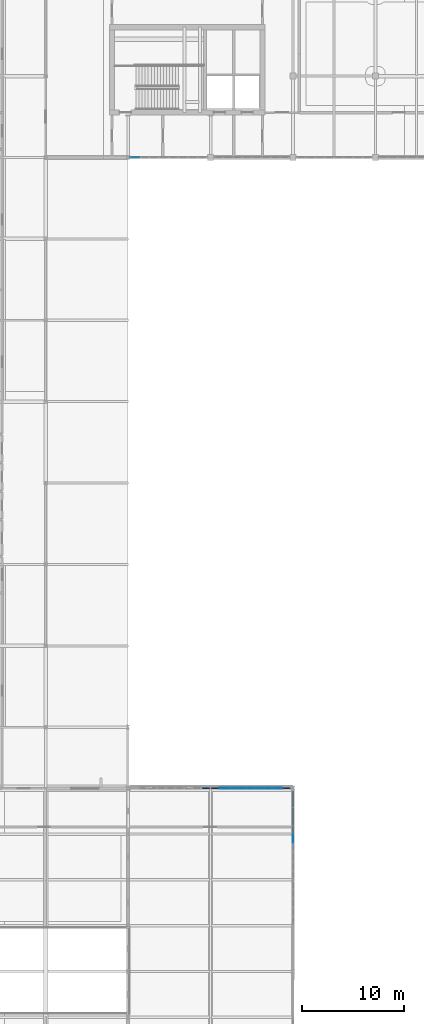
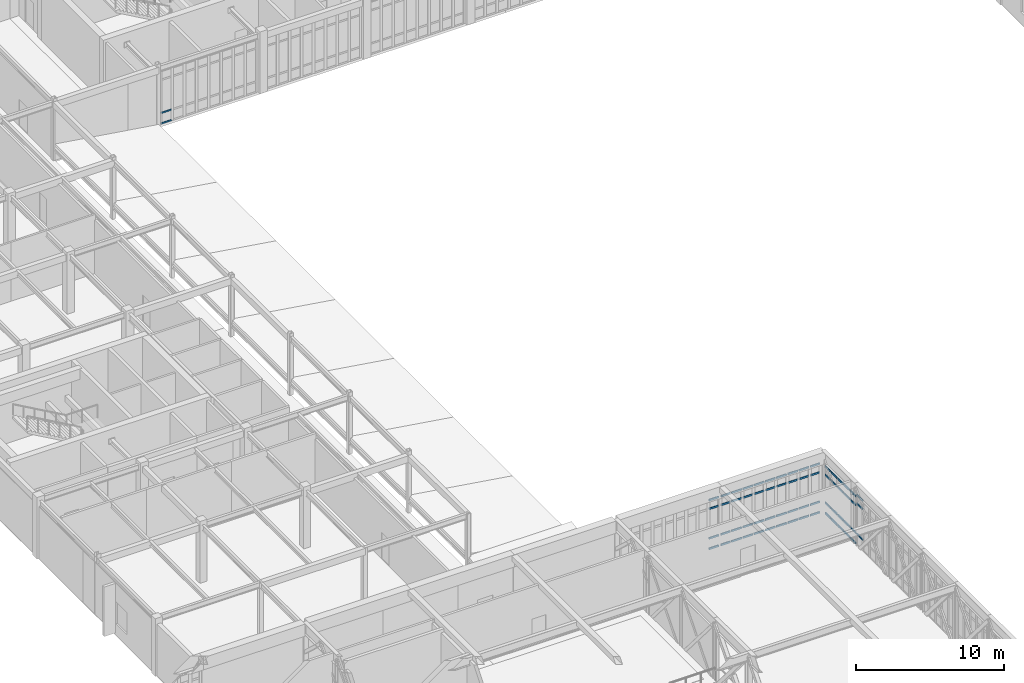
# One storey, part 35 of 70: 65 members, 5 elements without a shape of their own.
"""IFC4 building model written with IfcOpenShell, lengths in metres."""

from ifc_helpers import new_model, si_unit, direction, frame, origin, origin_2d, place, context, subcontext, project, spatial, rectangle, extrude, material, material_profile, profile_set, type_object, element, aggregate, save


model = new_model("IFC4")

# Units and contexts
model_context = context("Model", 3, precision=1e-05, world=origin(), true_north=direction((0.0, 1.0)))
body_context = subcontext(model_context, "Body", "Model", "MODEL_VIEW")
ifc_project = project(units=[si_unit("LENGTHUNIT", "METRE"), si_unit("AREAUNIT", "SQUARE_METRE"), si_unit("VOLUMEUNIT", "CUBIC_METRE"), si_unit("PLANEANGLEUNIT", "RADIAN"), si_unit("MASSUNIT", "GRAM", prefix="KILO")], contexts=[model_context])

# Site, building, storey
site_placement = place(None, origin())
site = spatial("IfcSite", under=ifc_project, at=site_placement, CompositionType="ELEMENT")
building_placement = place(site_placement, origin())
building = spatial("IfcBuilding", under=site, at=building_placement, Name="Tarnveldt Square Police Headquarters", CompositionType="ELEMENT")
storey_placement = place(building_placement, frame((0.0, 0.0, 19.800048828125)))
storey = spatial("IfcBuildingStorey", under=building, at=storey_placement, Name="L04", CompositionType="ELEMENT", Elevation=19.800048828125)

# Curtain wall, members
ifc_material_1 = material(Name="Triple-glazed low-e laminated vision glass", Category="glass")
curtain_wall_type_1 = type_object("IfcCurtainWallType", Name="CW-LB-762x439", PredefinedType="USERDEFINED", material=ifc_material_1)
curtain_wall_1_placement = place(storey_placement, origin())
curtain_wall_1 = element("IfcCurtainWall", 1, at=curtain_wall_1_placement, inside=storey, type_object=curtain_wall_type_1, Name="L04 Curtain Wall CW-L04-126", ObjectType="GLAZED CURTAIN WALL", PredefinedType="USERDEFINED")
ifc_material_2 = material(Name="Thermally broken anodised aluminium 6063-T6", Category="aluminium")
ifc_material_profile_1 = material_profile(ifc_material_2, rectangle(XDim=0.06494140625, YDim=0.1201171875, at=origin_2d()), Name="CW-T65x120")
ifc_profile_set_1 = profile_set([ifc_material_profile_1], Name="Thermally broken anodised aluminium 6063-T6")
member_type_1 = type_object("IfcMemberType", Name="CWT-65x120", PredefinedType="USERDEFINED", material=ifc_profile_set_1)
member_1_placement = place(storey_placement, frame((48.84228515625, 96.0, 0.032470703125), z_axis=(1.0, 0.0, 0.0), x_axis=(0.0, 1.0, 0.0)))
member_1 = element("IfcMember", 2, at=member_1_placement, type_object=member_type_1, Name="CW-LB76 transom 1.1", ObjectType="TRANSOM", PredefinedType="USERDEFINED", context=body_context, shape_type="SweptSolid", body=[
    extrude(rectangle(XDim=0.06494140625, YDim=0.1201171875, at=origin_2d()), origin(), (0.0, 0.0, 1.0), 0.83984375),
])
member_2_placement = place(storey_placement, frame((48.84228515625, 96.0, 0.89990234375), z_axis=(1.0, 0.0, 0.0), x_axis=(0.0, 1.0, 0.0)))
member_2 = element("IfcMember", 3, at=member_2_placement, type_object=member_type_1, Name="CW-LB76 transom 1.2", ObjectType="TRANSOM", PredefinedType="USERDEFINED", context=body_context, shape_type="SweptSolid", body=[
    extrude(rectangle(XDim=0.06494140625, YDim=0.1201171875, at=origin_2d()), origin(), (0.0, 0.0, 1.0), 0.83984375),
])
aggregate(curtain_wall_1, [member_1, member_2])

ifc_material_3 = material(Name="UL 752 Level III laminated ballistic vision glass", Category="glass")
curtain_wall_type_2 = type_object("IfcCurtainWallType", Name="CW-BL-790x409", PredefinedType="USERDEFINED", material=ifc_material_3)
curtain_wall_2_placement = place(storey_placement, origin())
curtain_wall_2 = element("IfcCurtainWall", 4, at=curtain_wall_2_placement, inside=storey, type_object=curtain_wall_type_2, Name="L04 Curtain Wall CW-L04-048", ObjectType="BALLISTIC CURTAIN WALL", PredefinedType="USERDEFINED")
ifc_material_profile_2 = material_profile(ifc_material_2, rectangle(XDim=0.074951171875, YDim=0.14990234375, at=origin_2d()), Name="CW-T75x150")
ifc_profile_set_2 = profile_set([ifc_material_profile_2], Name="Thermally broken anodised aluminium 6063-T6")
member_type_2 = type_object("IfcMemberType", Name="CWT-75x150", PredefinedType="USERDEFINED", material=ifc_profile_set_2)
member_3_placement = place(storey_placement, frame((55.864990234375, 34.0, 0.037353515625), z_axis=(1.0, 0.0, 0.0), x_axis=(0.0, 1.0, 0.0)))
member_3 = element("IfcMember", 5, at=member_3_placement, type_object=member_type_2, Name="CW-BL19 transom 9.1", ObjectType="TRANSOM", PredefinedType="USERDEFINED", context=body_context, shape_type="SweptSolid", body=[
    extrude(rectangle(XDim=0.074951171875, YDim=0.14990234375, at=origin_2d()), origin(), (0.0, 0.0, 1.0), 0.75),
])
member_4_placement = place(storey_placement, frame((55.864990234375, 34.0, 0.89990234375), z_axis=(1.0, 0.0, 0.0), x_axis=(0.0, 1.0, 0.0)))
member_4 = element("IfcMember", 6, at=member_4_placement, type_object=member_type_2, Name="CW-BL19 transom 9.2", ObjectType="TRANSOM", PredefinedType="USERDEFINED", context=body_context, shape_type="SweptSolid", body=[
    extrude(rectangle(XDim=0.074951171875, YDim=0.14990234375, at=origin_2d()), origin(), (0.0, 0.0, 1.0), 0.75),
])
member_5_placement = place(storey_placement, frame((55.864990234375, 34.0, 3.342041015625), z_axis=(1.0, 0.0, 0.0), x_axis=(0.0, 1.0, 0.0)))
member_5 = element("IfcMember", 7, at=member_5_placement, type_object=member_type_2, Name="CW-BL19 transom 9.3", ObjectType="TRANSOM", PredefinedType="USERDEFINED", context=body_context, shape_type="SweptSolid", body=[
    extrude(rectangle(XDim=0.074951171875, YDim=0.14990234375, at=origin_2d()), origin(), (0.0, 0.0, 1.0), 0.75),
])
member_6_placement = place(storey_placement, frame((55.864990234375, 34.0, 4.054443359375), z_axis=(1.0, 0.0, 0.0), x_axis=(0.0, 1.0, 0.0)))
member_6 = element("IfcMember", 8, at=member_6_placement, type_object=member_type_2, Name="CW-BL19 transom 9.4", ObjectType="TRANSOM", PredefinedType="USERDEFINED", context=body_context, shape_type="SweptSolid", body=[
    extrude(rectangle(XDim=0.074951171875, YDim=0.14990234375, at=origin_2d()), origin(), (0.0, 0.0, 1.0), 0.75),
])
aggregate(curtain_wall_2, [member_3, member_4, member_5, member_6])

curtain_wall_3_placement = place(storey_placement, origin())
curtain_wall_3 = element("IfcCurtainWall", 9, at=curtain_wall_3_placement, inside=storey, type_object=curtain_wall_type_2, Name="L04 Curtain Wall CW-L04-049", ObjectType="BALLISTIC CURTAIN WALL", PredefinedType="USERDEFINED")
member_7_placement = place(storey_placement, frame((56.784912109375, 34.0, 0.037353515625), z_axis=(1.0, 0.0, 0.0), x_axis=(0.0, 1.0, 0.0)))
member_7 = element("IfcMember", 10, at=member_7_placement, type_object=member_type_2, Name="CW-BL19 transom 1.1", ObjectType="TRANSOM", PredefinedType="USERDEFINED", context=body_context, shape_type="SweptSolid", body=[
    extrude(rectangle(XDim=0.074951171875, YDim=0.14990234375, at=origin_2d()), origin(), (0.0, 0.0, 1.0), 0.750244140625),
])
member_8_placement = place(storey_placement, frame((56.784912109375, 34.0, 0.89990234375), z_axis=(1.0, 0.0, 0.0), x_axis=(0.0, 1.0, 0.0)))
member_8 = element("IfcMember", 11, at=member_8_placement, type_object=member_type_2, Name="CW-BL19 transom 1.2", ObjectType="TRANSOM", PredefinedType="USERDEFINED", context=body_context, shape_type="SweptSolid", body=[
    extrude(rectangle(XDim=0.074951171875, YDim=0.14990234375, at=origin_2d()), origin(), (0.0, 0.0, 1.0), 0.750244140625),
])
member_9_placement = place(storey_placement, frame((56.784912109375, 34.0, 3.342041015625), z_axis=(1.0, 0.0, 0.0), x_axis=(0.0, 1.0, 0.0)))
member_9 = element("IfcMember", 12, at=member_9_placement, type_object=member_type_2, Name="CW-BL19 transom 1.3", ObjectType="TRANSOM", PredefinedType="USERDEFINED", context=body_context, shape_type="SweptSolid", body=[
    extrude(rectangle(XDim=0.074951171875, YDim=0.14990234375, at=origin_2d()), origin(), (0.0, 0.0, 1.0), 0.750244140625),
])
member_10_placement = place(storey_placement, frame((56.784912109375, 34.0, 4.054443359375), z_axis=(1.0, 0.0, 0.0), x_axis=(0.0, 1.0, 0.0)))
member_10 = element("IfcMember", 13, at=member_10_placement, type_object=member_type_2, Name="CW-BL19 transom 1.4", ObjectType="TRANSOM", PredefinedType="USERDEFINED", context=body_context, shape_type="SweptSolid", body=[
    extrude(rectangle(XDim=0.074951171875, YDim=0.14990234375, at=origin_2d()), origin(), (0.0, 0.0, 1.0), 0.750244140625),
])
member_11_placement = place(storey_placement, frame((57.6201171875, 34.0, 0.037353515625), z_axis=(1.0, 0.0, 0.0), x_axis=(0.0, 1.0, 0.0)))
member_11 = element("IfcMember", 14, at=member_11_placement, type_object=member_type_2, Name="CW-BL19 transom 2.1", ObjectType="TRANSOM", PredefinedType="USERDEFINED", context=body_context, shape_type="SweptSolid", body=[
    extrude(rectangle(XDim=0.074951171875, YDim=0.14990234375, at=origin_2d()), origin(), (0.0, 0.0, 1.0), 0.79248046875),
])
member_12_placement = place(storey_placement, frame((57.6201171875, 34.0, 0.89990234375), z_axis=(1.0, 0.0, 0.0), x_axis=(0.0, 1.0, 0.0)))
member_12 = element("IfcMember", 15, at=member_12_placement, type_object=member_type_2, Name="CW-BL19 transom 2.2", ObjectType="TRANSOM", PredefinedType="USERDEFINED", context=body_context, shape_type="SweptSolid", body=[
    extrude(rectangle(XDim=0.074951171875, YDim=0.14990234375, at=origin_2d()), origin(), (0.0, 0.0, 1.0), 0.79248046875),
])
member_13_placement = place(storey_placement, frame((57.6201171875, 34.0, 3.342041015625), z_axis=(1.0, 0.0, 0.0), x_axis=(0.0, 1.0, 0.0)))
member_13 = element("IfcMember", 16, at=member_13_placement, type_object=member_type_2, Name="CW-BL19 transom 2.3", ObjectType="TRANSOM", PredefinedType="USERDEFINED", context=body_context, shape_type="SweptSolid", body=[
    extrude(rectangle(XDim=0.074951171875, YDim=0.14990234375, at=origin_2d()), origin(), (0.0, 0.0, 1.0), 0.79248046875),
])
member_14_placement = place(storey_placement, frame((57.6201171875, 34.0, 4.054443359375), z_axis=(1.0, 0.0, 0.0), x_axis=(0.0, 1.0, 0.0)))
member_14 = element("IfcMember", 17, at=member_14_placement, type_object=member_type_2, Name="CW-BL19 transom 2.4", ObjectType="TRANSOM", PredefinedType="USERDEFINED", context=body_context, shape_type="SweptSolid", body=[
    extrude(rectangle(XDim=0.074951171875, YDim=0.14990234375, at=origin_2d()), origin(), (0.0, 0.0, 1.0), 0.79248046875),
])
member_15_placement = place(storey_placement, frame((58.49755859375, 34.0, 0.037353515625), z_axis=(1.0, 0.0, 0.0), x_axis=(0.0, 1.0, 0.0)))
member_15 = element("IfcMember", 18, at=member_15_placement, type_object=member_type_2, Name="CW-BL19 transom 3.1", ObjectType="TRANSOM", PredefinedType="USERDEFINED", context=body_context, shape_type="SweptSolid", body=[
    extrude(rectangle(XDim=0.074951171875, YDim=0.14990234375, at=origin_2d()), origin(), (0.0, 0.0, 1.0), 0.792724609375),
])
member_16_placement = place(storey_placement, frame((58.49755859375, 34.0, 0.89990234375), z_axis=(1.0, 0.0, 0.0), x_axis=(0.0, 1.0, 0.0)))
member_16 = element("IfcMember", 19, at=member_16_placement, type_object=member_type_2, Name="CW-BL19 transom 3.2", ObjectType="TRANSOM", PredefinedType="USERDEFINED", context=body_context, shape_type="SweptSolid", body=[
    extrude(rectangle(XDim=0.074951171875, YDim=0.14990234375, at=origin_2d()), origin(), (0.0, 0.0, 1.0), 0.792724609375),
])
member_17_placement = place(storey_placement, frame((58.49755859375, 34.0, 3.342041015625), z_axis=(1.0, 0.0, 0.0), x_axis=(0.0, 1.0, 0.0)))
member_17 = element("IfcMember", 20, at=member_17_placement, type_object=member_type_2, Name="CW-BL19 transom 3.3", ObjectType="TRANSOM", PredefinedType="USERDEFINED", context=body_context, shape_type="SweptSolid", body=[
    extrude(rectangle(XDim=0.074951171875, YDim=0.14990234375, at=origin_2d()), origin(), (0.0, 0.0, 1.0), 0.792724609375),
])
member_18_placement = place(storey_placement, frame((58.49755859375, 34.0, 4.054443359375), z_axis=(1.0, 0.0, 0.0), x_axis=(0.0, 1.0, 0.0)))
member_18 = element("IfcMember", 21, at=member_18_placement, type_object=member_type_2, Name="CW-BL19 transom 3.4", ObjectType="TRANSOM", PredefinedType="USERDEFINED", context=body_context, shape_type="SweptSolid", body=[
    extrude(rectangle(XDim=0.074951171875, YDim=0.14990234375, at=origin_2d()), origin(), (0.0, 0.0, 1.0), 0.792724609375),
])
member_19_placement = place(storey_placement, frame((59.375244140625, 34.0, 0.037353515625), z_axis=(1.0, 0.0, 0.0), x_axis=(0.0, 1.0, 0.0)))
member_19 = element("IfcMember", 22, at=member_19_placement, type_object=member_type_2, Name="CW-BL19 transom 4.1", ObjectType="TRANSOM", PredefinedType="USERDEFINED", context=body_context, shape_type="SweptSolid", body=[
    extrude(rectangle(XDim=0.074951171875, YDim=0.14990234375, at=origin_2d()), origin(), (0.0, 0.0, 1.0), 0.79248046875),
])
member_20_placement = place(storey_placement, frame((59.375244140625, 34.0, 0.89990234375), z_axis=(1.0, 0.0, 0.0), x_axis=(0.0, 1.0, 0.0)))
member_20 = element("IfcMember", 23, at=member_20_placement, type_object=member_type_2, Name="CW-BL19 transom 4.2", ObjectType="TRANSOM", PredefinedType="USERDEFINED", context=body_context, shape_type="SweptSolid", body=[
    extrude(rectangle(XDim=0.074951171875, YDim=0.14990234375, at=origin_2d()), origin(), (0.0, 0.0, 1.0), 0.79248046875),
])
member_21_placement = place(storey_placement, frame((59.375244140625, 34.0, 3.342041015625), z_axis=(1.0, 0.0, 0.0), x_axis=(0.0, 1.0, 0.0)))
member_21 = element("IfcMember", 24, at=member_21_placement, type_object=member_type_2, Name="CW-BL19 transom 4.3", ObjectType="TRANSOM", PredefinedType="USERDEFINED", context=body_context, shape_type="SweptSolid", body=[
    extrude(rectangle(XDim=0.074951171875, YDim=0.14990234375, at=origin_2d()), origin(), (0.0, 0.0, 1.0), 0.79248046875),
])
member_22_placement = place(storey_placement, frame((59.375244140625, 34.0, 4.054443359375), z_axis=(1.0, 0.0, 0.0), x_axis=(0.0, 1.0, 0.0)))
member_22 = element("IfcMember", 25, at=member_22_placement, type_object=member_type_2, Name="CW-BL19 transom 4.4", ObjectType="TRANSOM", PredefinedType="USERDEFINED", context=body_context, shape_type="SweptSolid", body=[
    extrude(rectangle(XDim=0.074951171875, YDim=0.14990234375, at=origin_2d()), origin(), (0.0, 0.0, 1.0), 0.79248046875),
])
member_23_placement = place(storey_placement, frame((60.252685546875, 34.0, 0.037353515625), z_axis=(1.0, 0.0, 0.0), x_axis=(0.0, 1.0, 0.0)))
member_23 = element("IfcMember", 26, at=member_23_placement, type_object=member_type_2, Name="CW-BL19 transom 5.1", ObjectType="TRANSOM", PredefinedType="USERDEFINED", context=body_context, shape_type="SweptSolid", body=[
    extrude(rectangle(XDim=0.074951171875, YDim=0.14990234375, at=origin_2d()), origin(), (0.0, 0.0, 1.0), 0.79248046875),
])
member_24_placement = place(storey_placement, frame((60.252685546875, 34.0, 0.89990234375), z_axis=(1.0, 0.0, 0.0), x_axis=(0.0, 1.0, 0.0)))
member_24 = element("IfcMember", 27, at=member_24_placement, type_object=member_type_2, Name="CW-BL19 transom 5.2", ObjectType="TRANSOM", PredefinedType="USERDEFINED", context=body_context, shape_type="SweptSolid", body=[
    extrude(rectangle(XDim=0.074951171875, YDim=0.14990234375, at=origin_2d()), origin(), (0.0, 0.0, 1.0), 0.79248046875),
])
member_25_placement = place(storey_placement, frame((60.252685546875, 34.0, 3.342041015625), z_axis=(1.0, 0.0, 0.0), x_axis=(0.0, 1.0, 0.0)))
member_25 = element("IfcMember", 28, at=member_25_placement, type_object=member_type_2, Name="CW-BL19 transom 5.3", ObjectType="TRANSOM", PredefinedType="USERDEFINED", context=body_context, shape_type="SweptSolid", body=[
    extrude(rectangle(XDim=0.074951171875, YDim=0.14990234375, at=origin_2d()), origin(), (0.0, 0.0, 1.0), 0.79248046875),
])
member_26_placement = place(storey_placement, frame((60.252685546875, 34.0, 4.054443359375), z_axis=(1.0, 0.0, 0.0), x_axis=(0.0, 1.0, 0.0)))
member_26 = element("IfcMember", 29, at=member_26_placement, type_object=member_type_2, Name="CW-BL19 transom 5.4", ObjectType="TRANSOM", PredefinedType="USERDEFINED", context=body_context, shape_type="SweptSolid", body=[
    extrude(rectangle(XDim=0.074951171875, YDim=0.14990234375, at=origin_2d()), origin(), (0.0, 0.0, 1.0), 0.79248046875),
])
member_27_placement = place(storey_placement, frame((61.13037109375, 34.0, 0.037353515625), z_axis=(1.0, 0.0, 0.0), x_axis=(0.0, 1.0, 0.0)))
member_27 = element("IfcMember", 30, at=member_27_placement, type_object=member_type_2, Name="CW-BL19 transom 6.1", ObjectType="TRANSOM", PredefinedType="USERDEFINED", context=body_context, shape_type="SweptSolid", body=[
    extrude(rectangle(XDim=0.074951171875, YDim=0.14990234375, at=origin_2d()), origin(), (0.0, 0.0, 1.0), 0.79248046875),
])
member_28_placement = place(storey_placement, frame((61.13037109375, 34.0, 0.89990234375), z_axis=(1.0, 0.0, 0.0), x_axis=(0.0, 1.0, 0.0)))
member_28 = element("IfcMember", 31, at=member_28_placement, type_object=member_type_2, Name="CW-BL19 transom 6.2", ObjectType="TRANSOM", PredefinedType="USERDEFINED", context=body_context, shape_type="SweptSolid", body=[
    extrude(rectangle(XDim=0.074951171875, YDim=0.14990234375, at=origin_2d()), origin(), (0.0, 0.0, 1.0), 0.79248046875),
])
member_29_placement = place(storey_placement, frame((61.13037109375, 34.0, 3.342041015625), z_axis=(1.0, 0.0, 0.0), x_axis=(0.0, 1.0, 0.0)))
member_29 = element("IfcMember", 32, at=member_29_placement, type_object=member_type_2, Name="CW-BL19 transom 6.3", ObjectType="TRANSOM", PredefinedType="USERDEFINED", context=body_context, shape_type="SweptSolid", body=[
    extrude(rectangle(XDim=0.074951171875, YDim=0.14990234375, at=origin_2d()), origin(), (0.0, 0.0, 1.0), 0.79248046875),
])
member_30_placement = place(storey_placement, frame((61.13037109375, 34.0, 4.054443359375), z_axis=(1.0, 0.0, 0.0), x_axis=(0.0, 1.0, 0.0)))
member_30 = element("IfcMember", 33, at=member_30_placement, type_object=member_type_2, Name="CW-BL19 transom 6.4", ObjectType="TRANSOM", PredefinedType="USERDEFINED", context=body_context, shape_type="SweptSolid", body=[
    extrude(rectangle(XDim=0.074951171875, YDim=0.14990234375, at=origin_2d()), origin(), (0.0, 0.0, 1.0), 0.79248046875),
])
member_31_placement = place(storey_placement, frame((62.0078125, 34.0, 0.037353515625), z_axis=(1.0, 0.0, 0.0), x_axis=(0.0, 1.0, 0.0)))
member_31 = element("IfcMember", 34, at=member_31_placement, type_object=member_type_2, Name="CW-BL19 transom 7.1", ObjectType="TRANSOM", PredefinedType="USERDEFINED", context=body_context, shape_type="SweptSolid", body=[
    extrude(rectangle(XDim=0.074951171875, YDim=0.14990234375, at=origin_2d()), origin(), (0.0, 0.0, 1.0), 0.79248046875),
])
member_32_placement = place(storey_placement, frame((62.0078125, 34.0, 0.89990234375), z_axis=(1.0, 0.0, 0.0), x_axis=(0.0, 1.0, 0.0)))
member_32 = element("IfcMember", 35, at=member_32_placement, type_object=member_type_2, Name="CW-BL19 transom 7.2", ObjectType="TRANSOM", PredefinedType="USERDEFINED", context=body_context, shape_type="SweptSolid", body=[
    extrude(rectangle(XDim=0.074951171875, YDim=0.14990234375, at=origin_2d()), origin(), (0.0, 0.0, 1.0), 0.79248046875),
])
member_33_placement = place(storey_placement, frame((62.0078125, 34.0, 3.342041015625), z_axis=(1.0, 0.0, 0.0), x_axis=(0.0, 1.0, 0.0)))
member_33 = element("IfcMember", 36, at=member_33_placement, type_object=member_type_2, Name="CW-BL19 transom 7.3", ObjectType="TRANSOM", PredefinedType="USERDEFINED", context=body_context, shape_type="SweptSolid", body=[
    extrude(rectangle(XDim=0.074951171875, YDim=0.14990234375, at=origin_2d()), origin(), (0.0, 0.0, 1.0), 0.79248046875),
])
member_34_placement = place(storey_placement, frame((62.0078125, 34.0, 4.054443359375), z_axis=(1.0, 0.0, 0.0), x_axis=(0.0, 1.0, 0.0)))
member_34 = element("IfcMember", 37, at=member_34_placement, type_object=member_type_2, Name="CW-BL19 transom 7.4", ObjectType="TRANSOM", PredefinedType="USERDEFINED", context=body_context, shape_type="SweptSolid", body=[
    extrude(rectangle(XDim=0.074951171875, YDim=0.14990234375, at=origin_2d()), origin(), (0.0, 0.0, 1.0), 0.79248046875),
])
member_35_placement = place(storey_placement, frame((62.885498046875, 34.0, 0.037353515625), z_axis=(1.0, 0.0, 0.0), x_axis=(0.0, 1.0, 0.0)))
member_35 = element("IfcMember", 38, at=member_35_placement, type_object=member_type_2, Name="CW-BL19 transom 8.1", ObjectType="TRANSOM", PredefinedType="USERDEFINED", context=body_context, shape_type="SweptSolid", body=[
    extrude(rectangle(XDim=0.074951171875, YDim=0.14990234375, at=origin_2d()), origin(), (0.0, 0.0, 1.0), 0.79248046875),
])
member_36_placement = place(storey_placement, frame((62.885498046875, 34.0, 0.89990234375), z_axis=(1.0, 0.0, 0.0), x_axis=(0.0, 1.0, 0.0)))
member_36 = element("IfcMember", 39, at=member_36_placement, type_object=member_type_2, Name="CW-BL19 transom 8.2", ObjectType="TRANSOM", PredefinedType="USERDEFINED", context=body_context, shape_type="SweptSolid", body=[
    extrude(rectangle(XDim=0.074951171875, YDim=0.14990234375, at=origin_2d()), origin(), (0.0, 0.0, 1.0), 0.79248046875),
])
member_37_placement = place(storey_placement, frame((62.885498046875, 34.0, 3.342041015625), z_axis=(1.0, 0.0, 0.0), x_axis=(0.0, 1.0, 0.0)))
member_37 = element("IfcMember", 40, at=member_37_placement, type_object=member_type_2, Name="CW-BL19 transom 8.3", ObjectType="TRANSOM", PredefinedType="USERDEFINED", context=body_context, shape_type="SweptSolid", body=[
    extrude(rectangle(XDim=0.074951171875, YDim=0.14990234375, at=origin_2d()), origin(), (0.0, 0.0, 1.0), 0.79248046875),
])
member_38_placement = place(storey_placement, frame((62.885498046875, 34.0, 4.054443359375), z_axis=(1.0, 0.0, 0.0), x_axis=(0.0, 1.0, 0.0)))
member_38 = element("IfcMember", 41, at=member_38_placement, type_object=member_type_2, Name="CW-BL19 transom 8.4", ObjectType="TRANSOM", PredefinedType="USERDEFINED", context=body_context, shape_type="SweptSolid", body=[
    extrude(rectangle(XDim=0.074951171875, YDim=0.14990234375, at=origin_2d()), origin(), (0.0, 0.0, 1.0), 0.79248046875),
])
member_39_placement = place(storey_placement, frame((63.762939453125, 34.0, 0.037353515625), z_axis=(1.0, 0.0, 0.0), x_axis=(0.0, 1.0, 0.0)))
member_39 = element("IfcMember", 42, at=member_39_placement, type_object=member_type_2, Name="CW-BL19 transom 9.1", ObjectType="TRANSOM", PredefinedType="USERDEFINED", context=body_context, shape_type="SweptSolid", body=[
    extrude(rectangle(XDim=0.074951171875, YDim=0.14990234375, at=origin_2d()), origin(), (0.0, 0.0, 1.0), 0.75),
])
member_40_placement = place(storey_placement, frame((63.762939453125, 34.0, 0.89990234375), z_axis=(1.0, 0.0, 0.0), x_axis=(0.0, 1.0, 0.0)))
member_40 = element("IfcMember", 43, at=member_40_placement, type_object=member_type_2, Name="CW-BL19 transom 9.2", ObjectType="TRANSOM", PredefinedType="USERDEFINED", context=body_context, shape_type="SweptSolid", body=[
    extrude(rectangle(XDim=0.074951171875, YDim=0.14990234375, at=origin_2d()), origin(), (0.0, 0.0, 1.0), 0.75),
])
member_41_placement = place(storey_placement, frame((63.762939453125, 34.0, 3.342041015625), z_axis=(1.0, 0.0, 0.0), x_axis=(0.0, 1.0, 0.0)))
member_41 = element("IfcMember", 44, at=member_41_placement, type_object=member_type_2, Name="CW-BL19 transom 9.3", ObjectType="TRANSOM", PredefinedType="USERDEFINED", context=body_context, shape_type="SweptSolid", body=[
    extrude(rectangle(XDim=0.074951171875, YDim=0.14990234375, at=origin_2d()), origin(), (0.0, 0.0, 1.0), 0.75),
])
member_42_placement = place(storey_placement, frame((63.762939453125, 34.0, 4.054443359375), z_axis=(1.0, 0.0, 0.0), x_axis=(0.0, 1.0, 0.0)))
member_42 = element("IfcMember", 45, at=member_42_placement, type_object=member_type_2, Name="CW-BL19 transom 9.4", ObjectType="TRANSOM", PredefinedType="USERDEFINED", context=body_context, shape_type="SweptSolid", body=[
    extrude(rectangle(XDim=0.074951171875, YDim=0.14990234375, at=origin_2d()), origin(), (0.0, 0.0, 1.0), 0.75),
])
aggregate(curtain_wall_3, [member_7, member_8, member_9, member_10, member_11, member_12, member_13, member_14, member_15, member_16, member_17, member_18, member_19, member_20, member_21, member_22, member_23, member_24, member_25, member_26, member_27, member_28, member_29, member_30, member_31, member_32, member_33, member_34, member_35, member_36, member_37, member_38, member_39, member_40, member_41, member_42])

curtain_wall_type_3 = type_object("IfcCurtainWallType", Name="CW-LT-450x417", PredefinedType="USERDEFINED", material=ifc_material_1)
curtain_wall_4_placement = place(storey_placement, origin())
curtain_wall_4 = element("IfcCurtainWall", 46, at=curtain_wall_4_placement, inside=storey, type_object=curtain_wall_type_3, Name="L04 Curtain Wall CW-L04-060", ObjectType="GLAZED CURTAIN WALL", PredefinedType="USERDEFINED")
member_43_placement = place(storey_placement, frame((64.800048828125, 28.637451171875, 0.89990234375), z_axis=(0.0, 1.0, 0.0), x_axis=(-1.0, 0.0, 0.0)))
member_43 = element("IfcMember", 47, at=member_43_placement, type_object=member_type_2, Name="CW-LT22 transom 5.2", ObjectType="TRANSOM", PredefinedType="USERDEFINED", context=body_context, shape_type="SweptSolid", body=[
    extrude(rectangle(XDim=0.074951171875, YDim=0.14990234375, at=origin_2d()), origin(), (0.0, 0.0, 1.0), 0.78759765625),
])
member_44_placement = place(storey_placement, frame((64.800048828125, 28.637451171875, 3.4228515625), z_axis=(0.0, 1.0, 0.0), x_axis=(-1.0, 0.0, 0.0)))
member_44 = element("IfcMember", 48, at=member_44_placement, type_object=member_type_2, Name="CW-LT22 transom 5.3", ObjectType="TRANSOM", PredefinedType="USERDEFINED", context=body_context, shape_type="SweptSolid", body=[
    extrude(rectangle(XDim=0.074951171875, YDim=0.14990234375, at=origin_2d()), origin(), (0.0, 0.0, 1.0), 0.78759765625),
])
member_45_placement = place(storey_placement, frame((64.800048828125, 28.637451171875, 4.135498046875), z_axis=(0.0, 1.0, 0.0), x_axis=(-1.0, 0.0, 0.0)))
member_45 = element("IfcMember", 49, at=member_45_placement, type_object=member_type_2, Name="CW-LT22 transom 5.4", ObjectType="TRANSOM", PredefinedType="USERDEFINED", context=body_context, shape_type="SweptSolid", body=[
    extrude(rectangle(XDim=0.074951171875, YDim=0.14990234375, at=origin_2d()), origin(), (0.0, 0.0, 1.0), 0.78759765625),
])
aggregate(curtain_wall_4, [member_43, member_44, member_45])

curtain_wall_type_4 = type_object("IfcCurtainWallType", Name="CW-LT-430x395", PredefinedType="USERDEFINED", material=ifc_material_1)
curtain_wall_5_placement = place(storey_placement, origin())
curtain_wall_5 = element("IfcCurtainWall", 50, at=curtain_wall_5_placement, inside=storey, type_object=curtain_wall_type_4, Name="L04 Curtain Wall CW-L04-061", ObjectType="GLAZED CURTAIN WALL", PredefinedType="USERDEFINED")
member_46_placement = place(storey_placement, frame((64.800048828125, 29.574951171875, 0.037353515625), z_axis=(0.0, 1.0, 0.0), x_axis=(-1.0, 0.0, 0.0)))
member_46 = element("IfcMember", 51, at=member_46_placement, type_object=member_type_2, Name="CW-LT23 transom 1.1", ObjectType="TRANSOM", PredefinedType="USERDEFINED", context=body_context, shape_type="SweptSolid", body=[
    extrude(rectangle(XDim=0.074951171875, YDim=0.14990234375, at=origin_2d()), origin(), (0.0, 0.0, 1.0), 0.7470703125),
])
member_47_placement = place(storey_placement, frame((64.800048828125, 29.574951171875, 0.89990234375), z_axis=(0.0, 1.0, 0.0), x_axis=(-1.0, 0.0, 0.0)))
member_47 = element("IfcMember", 52, at=member_47_placement, type_object=member_type_2, Name="CW-LT23 transom 1.2", ObjectType="TRANSOM", PredefinedType="USERDEFINED", context=body_context, shape_type="SweptSolid", body=[
    extrude(rectangle(XDim=0.074951171875, YDim=0.14990234375, at=origin_2d()), origin(), (0.0, 0.0, 1.0), 0.7470703125),
])
member_48_placement = place(storey_placement, frame((64.800048828125, 29.574951171875, 3.201904296875), z_axis=(0.0, 1.0, 0.0), x_axis=(-1.0, 0.0, 0.0)))
member_48 = element("IfcMember", 53, at=member_48_placement, type_object=member_type_2, Name="CW-LT23 transom 1.3", ObjectType="TRANSOM", PredefinedType="USERDEFINED", context=body_context, shape_type="SweptSolid", body=[
    extrude(rectangle(XDim=0.074951171875, YDim=0.14990234375, at=origin_2d()), origin(), (0.0, 0.0, 1.0), 0.7470703125),
])
member_49_placement = place(storey_placement, frame((64.800048828125, 29.574951171875, 3.914306640625), z_axis=(0.0, 1.0, 0.0), x_axis=(-1.0, 0.0, 0.0)))
member_49 = element("IfcMember", 54, at=member_49_placement, type_object=member_type_2, Name="CW-LT23 transom 1.4", ObjectType="TRANSOM", PredefinedType="USERDEFINED", context=body_context, shape_type="SweptSolid", body=[
    extrude(rectangle(XDim=0.074951171875, YDim=0.14990234375, at=origin_2d()), origin(), (0.0, 0.0, 1.0), 0.7470703125),
])
member_50_placement = place(storey_placement, frame((64.800048828125, 30.397216796875, 0.037353515625), z_axis=(0.0, 1.0, 0.0), x_axis=(-1.0, 0.0, 0.0)))
member_50 = element("IfcMember", 55, at=member_50_placement, type_object=member_type_2, Name="CW-LT23 transom 2.1", ObjectType="TRANSOM", PredefinedType="USERDEFINED", context=body_context, shape_type="SweptSolid", body=[
    extrude(rectangle(XDim=0.074951171875, YDim=0.14990234375, at=origin_2d()), origin(), (0.0, 0.0, 1.0), 0.784423828125),
])
member_51_placement = place(storey_placement, frame((64.800048828125, 30.397216796875, 0.89990234375), z_axis=(0.0, 1.0, 0.0), x_axis=(-1.0, 0.0, 0.0)))
member_51 = element("IfcMember", 56, at=member_51_placement, type_object=member_type_2, Name="CW-LT23 transom 2.2", ObjectType="TRANSOM", PredefinedType="USERDEFINED", context=body_context, shape_type="SweptSolid", body=[
    extrude(rectangle(XDim=0.074951171875, YDim=0.14990234375, at=origin_2d()), origin(), (0.0, 0.0, 1.0), 0.784423828125),
])
member_52_placement = place(storey_placement, frame((64.800048828125, 30.397216796875, 3.201904296875), z_axis=(0.0, 1.0, 0.0), x_axis=(-1.0, 0.0, 0.0)))
member_52 = element("IfcMember", 57, at=member_52_placement, type_object=member_type_2, Name="CW-LT23 transom 2.3", ObjectType="TRANSOM", PredefinedType="USERDEFINED", context=body_context, shape_type="SweptSolid", body=[
    extrude(rectangle(XDim=0.074951171875, YDim=0.14990234375, at=origin_2d()), origin(), (0.0, 0.0, 1.0), 0.784423828125),
])
member_53_placement = place(storey_placement, frame((64.800048828125, 30.397216796875, 3.914306640625), z_axis=(0.0, 1.0, 0.0), x_axis=(-1.0, 0.0, 0.0)))
member_53 = element("IfcMember", 58, at=member_53_placement, type_object=member_type_2, Name="CW-LT23 transom 2.4", ObjectType="TRANSOM", PredefinedType="USERDEFINED", context=body_context, shape_type="SweptSolid", body=[
    extrude(rectangle(XDim=0.074951171875, YDim=0.14990234375, at=origin_2d()), origin(), (0.0, 0.0, 1.0), 0.784423828125),
])
member_54_placement = place(storey_placement, frame((64.800048828125, 31.256591796875, 0.037353515625), z_axis=(0.0, 1.0, 0.0), x_axis=(-1.0, 0.0, 0.0)))
member_54 = element("IfcMember", 59, at=member_54_placement, type_object=member_type_2, Name="CW-LT23 transom 3.1", ObjectType="TRANSOM", PredefinedType="USERDEFINED", context=body_context, shape_type="SweptSolid", body=[
    extrude(rectangle(XDim=0.074951171875, YDim=0.14990234375, at=origin_2d()), origin(), (0.0, 0.0, 1.0), 0.78466796875),
])
member_55_placement = place(storey_placement, frame((64.800048828125, 31.256591796875, 0.89990234375), z_axis=(0.0, 1.0, 0.0), x_axis=(-1.0, 0.0, 0.0)))
member_55 = element("IfcMember", 60, at=member_55_placement, type_object=member_type_2, Name="CW-LT23 transom 3.2", ObjectType="TRANSOM", PredefinedType="USERDEFINED", context=body_context, shape_type="SweptSolid", body=[
    extrude(rectangle(XDim=0.074951171875, YDim=0.14990234375, at=origin_2d()), origin(), (0.0, 0.0, 1.0), 0.78466796875),
])
member_56_placement = place(storey_placement, frame((64.800048828125, 31.256591796875, 3.201904296875), z_axis=(0.0, 1.0, 0.0), x_axis=(-1.0, 0.0, 0.0)))
member_56 = element("IfcMember", 61, at=member_56_placement, type_object=member_type_2, Name="CW-LT23 transom 3.3", ObjectType="TRANSOM", PredefinedType="USERDEFINED", context=body_context, shape_type="SweptSolid", body=[
    extrude(rectangle(XDim=0.074951171875, YDim=0.14990234375, at=origin_2d()), origin(), (0.0, 0.0, 1.0), 0.78466796875),
])
member_57_placement = place(storey_placement, frame((64.800048828125, 31.256591796875, 3.914306640625), z_axis=(0.0, 1.0, 0.0), x_axis=(-1.0, 0.0, 0.0)))
member_57 = element("IfcMember", 62, at=member_57_placement, type_object=member_type_2, Name="CW-LT23 transom 3.4", ObjectType="TRANSOM", PredefinedType="USERDEFINED", context=body_context, shape_type="SweptSolid", body=[
    extrude(rectangle(XDim=0.074951171875, YDim=0.14990234375, at=origin_2d()), origin(), (0.0, 0.0, 1.0), 0.78466796875),
])
member_58_placement = place(storey_placement, frame((64.800048828125, 32.1162109375, 0.037353515625), z_axis=(0.0, 1.0, 0.0), x_axis=(-1.0, 0.0, 0.0)))
member_58 = element("IfcMember", 63, at=member_58_placement, type_object=member_type_2, Name="CW-LT23 transom 4.1", ObjectType="TRANSOM", PredefinedType="USERDEFINED", context=body_context, shape_type="SweptSolid", body=[
    extrude(rectangle(XDim=0.074951171875, YDim=0.14990234375, at=origin_2d()), origin(), (0.0, 0.0, 1.0), 0.78466796875),
])
member_59_placement = place(storey_placement, frame((64.800048828125, 32.1162109375, 0.89990234375), z_axis=(0.0, 1.0, 0.0), x_axis=(-1.0, 0.0, 0.0)))
member_59 = element("IfcMember", 64, at=member_59_placement, type_object=member_type_2, Name="CW-LT23 transom 4.2", ObjectType="TRANSOM", PredefinedType="USERDEFINED", context=body_context, shape_type="SweptSolid", body=[
    extrude(rectangle(XDim=0.074951171875, YDim=0.14990234375, at=origin_2d()), origin(), (0.0, 0.0, 1.0), 0.78466796875),
])
member_60_placement = place(storey_placement, frame((64.800048828125, 32.1162109375, 3.201904296875), z_axis=(0.0, 1.0, 0.0), x_axis=(-1.0, 0.0, 0.0)))
member_60 = element("IfcMember", 65, at=member_60_placement, type_object=member_type_2, Name="CW-LT23 transom 4.3", ObjectType="TRANSOM", PredefinedType="USERDEFINED", context=body_context, shape_type="SweptSolid", body=[
    extrude(rectangle(XDim=0.074951171875, YDim=0.14990234375, at=origin_2d()), origin(), (0.0, 0.0, 1.0), 0.78466796875),
])
member_61_placement = place(storey_placement, frame((64.800048828125, 32.1162109375, 3.914306640625), z_axis=(0.0, 1.0, 0.0), x_axis=(-1.0, 0.0, 0.0)))
member_61 = element("IfcMember", 66, at=member_61_placement, type_object=member_type_2, Name="CW-LT23 transom 4.4", ObjectType="TRANSOM", PredefinedType="USERDEFINED", context=body_context, shape_type="SweptSolid", body=[
    extrude(rectangle(XDim=0.074951171875, YDim=0.14990234375, at=origin_2d()), origin(), (0.0, 0.0, 1.0), 0.78466796875),
])
member_62_placement = place(storey_placement, frame((64.800048828125, 32.975830078125, 0.037353515625), z_axis=(0.0, 1.0, 0.0), x_axis=(-1.0, 0.0, 0.0)))
member_62 = element("IfcMember", 67, at=member_62_placement, type_object=member_type_2, Name="CW-LT23 transom 5.1", ObjectType="TRANSOM", PredefinedType="USERDEFINED", context=body_context, shape_type="SweptSolid", body=[
    extrude(rectangle(XDim=0.074951171875, YDim=0.14990234375, at=origin_2d()), origin(), (0.0, 0.0, 1.0), 0.7470703125),
])
member_63_placement = place(storey_placement, frame((64.800048828125, 32.975830078125, 0.89990234375), z_axis=(0.0, 1.0, 0.0), x_axis=(-1.0, 0.0, 0.0)))
member_63 = element("IfcMember", 68, at=member_63_placement, type_object=member_type_2, Name="CW-LT23 transom 5.2", ObjectType="TRANSOM", PredefinedType="USERDEFINED", context=body_context, shape_type="SweptSolid", body=[
    extrude(rectangle(XDim=0.074951171875, YDim=0.14990234375, at=origin_2d()), origin(), (0.0, 0.0, 1.0), 0.7470703125),
])
member_64_placement = place(storey_placement, frame((64.800048828125, 32.975830078125, 3.201904296875), z_axis=(0.0, 1.0, 0.0), x_axis=(-1.0, 0.0, 0.0)))
member_64 = element("IfcMember", 69, at=member_64_placement, type_object=member_type_2, Name="CW-LT23 transom 5.3", ObjectType="TRANSOM", PredefinedType="USERDEFINED", context=body_context, shape_type="SweptSolid", body=[
    extrude(rectangle(XDim=0.074951171875, YDim=0.14990234375, at=origin_2d()), origin(), (0.0, 0.0, 1.0), 0.7470703125),
])
member_65_placement = place(storey_placement, frame((64.800048828125, 32.975830078125, 3.914306640625), z_axis=(0.0, 1.0, 0.0), x_axis=(-1.0, 0.0, 0.0)))
member_65 = element("IfcMember", 70, at=member_65_placement, type_object=member_type_2, Name="CW-LT23 transom 5.4", ObjectType="TRANSOM", PredefinedType="USERDEFINED", context=body_context, shape_type="SweptSolid", body=[
    extrude(rectangle(XDim=0.074951171875, YDim=0.14990234375, at=origin_2d()), origin(), (0.0, 0.0, 1.0), 0.7470703125),
])
aggregate(curtain_wall_5, [member_46, member_47, member_48, member_49, member_50, member_51, member_52, member_53, member_54, member_55, member_56, member_57, member_58, member_59, member_60, member_61, member_62, member_63, member_64, member_65])

save(model, "model.ifc")
